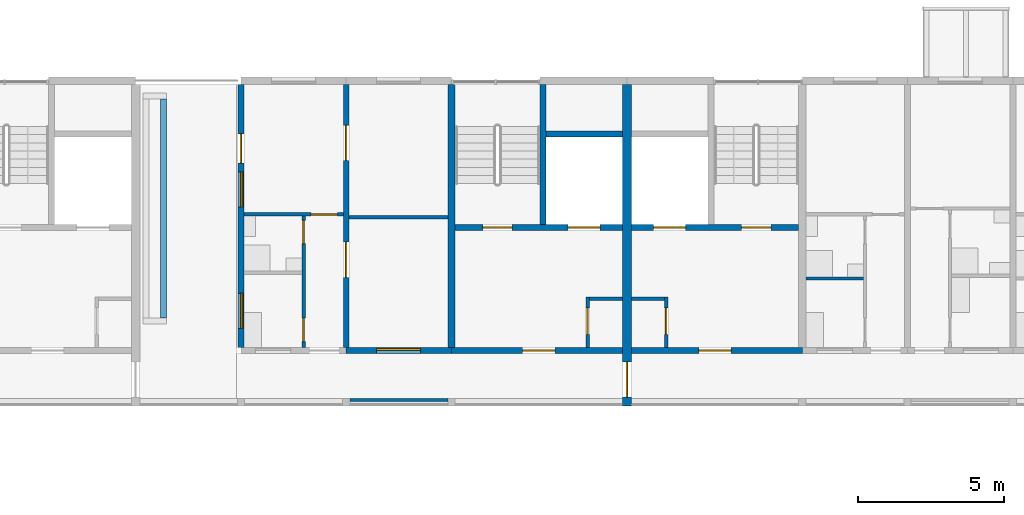
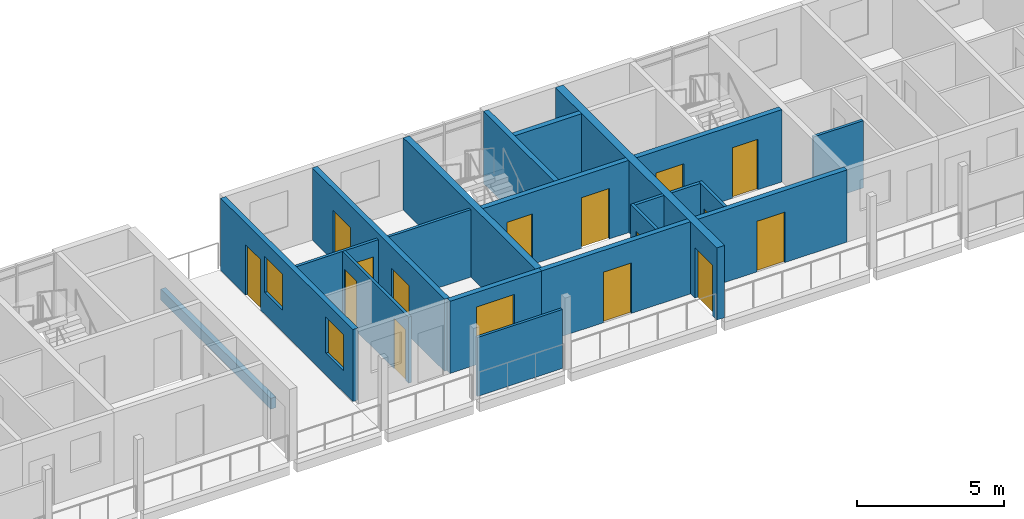
# One storey, part 49 of 94: 21 walls, 15 doors, 3 windows, 18 openings.
"""IFC4 building model written with IfcOpenShell, lengths in metres."""

from ifc_helpers import new_model, si_unit, direction, frame, frame_2d, origin, place, context, subcontext, project, spatial, rectangle, extrude, material, layer, layer_set, type_object, element, fill, save


model = new_model("IFC4")

# Units and contexts
model_context = context("Model", 3, precision=1e-05, world=origin(), true_north=direction((0.0, 1.0)))
body_context = subcontext(model_context, "Body", "Model", "MODEL_VIEW")
ifc_project = project(units=[si_unit("LENGTHUNIT", "METRE"), si_unit("AREAUNIT", "SQUARE_METRE"), si_unit("VOLUMEUNIT", "CUBIC_METRE"), si_unit("PLANEANGLEUNIT", "RADIAN"), si_unit("MASSUNIT", "GRAM", prefix="KILO")], contexts=[model_context])

# Site, building, storey
site_placement = place(None, origin())
site = spatial("IfcSite", under=ifc_project, at=site_placement, CompositionType="ELEMENT")
building_placement = place(site_placement, origin())
building = spatial("IfcBuilding", under=site, at=building_placement, Name="Ridgestep Commons", CompositionType="ELEMENT")
storey_placement = place(building_placement, frame((0.0, 0.0, 21.0)))
storey = spatial("IfcBuildingStorey", under=building, at=storey_placement, Name="L07", CompositionType="ELEMENT", Elevation=21.0)

# Wall
ifc_material_1 = material(Name="Concrete C30/37", Category="concrete")
ifc_layer_1 = layer(ifc_material_1, 0.25)
ifc_layer_set_1 = layer_set([ifc_layer_1], Name="Core cross wall 250")
wall_type_1 = type_object("IfcWallType", Name="Core cross wall 250", PredefinedType="SHEAR", material=ifc_layer_set_1)
wall_1_placement = place(storey_placement, frame((174.39990234375, 68.0, 0.0), z_axis=(0.0, 0.0, 1.0), x_axis=(0.0, 1.0, 0.0)))
element("IfcWall", 1, at=wall_1_placement, inside=storey, type_object=wall_type_1, Name="Cross wall C-07-1744", PredefinedType="SHEAR", context=body_context, shape_type="SweptSolid", body=[
    extrude(rectangle(XDim=9.0, YDim=0.25, at=frame_2d((4.5, 0.0))), origin(), (0.0, 0.0, 1.0), 3.0),
])

# Wall, opening, door
ifc_material_2 = material(Name="Concrete C30/37", Category="concrete")
ifc_layer_2 = layer(ifc_material_2, 0.199951171875)
ifc_layer_set_2 = layer_set([ifc_layer_2], Name="Core south wall 200")
wall_type_2 = type_object("IfcWallType", Name="Core south wall 200", PredefinedType="SHEAR", material=ifc_layer_set_2)
wall_2_placement = place(storey_placement, frame((174.39990234375, 67.89990234375, 0.0), z_axis=(0.0, 0.0, 1.0), x_axis=(1.0, 0.0, 0.0)))
wall_2 = element("IfcWall", 2, at=wall_2_placement, inside=storey, type_object=wall_type_2, Name="Core south wall C2C L07", PredefinedType="SHEAR", context=body_context, shape_type="SweptSolid", body=[
    extrude(rectangle(XDim=5.85009765625, YDim=0.199951171875, at=frame_2d((2.925048828125, 0.0))), origin(), (0.0, 0.0, 1.0), 3.0),
])
opening_1_placement = place(wall_2_placement, frame((2.4375, 0.0, 0.0)))
opening_1 = element("IfcOpeningElement", 3, at=opening_1_placement, cuts=wall_2, Name="Opening C2C/07/1", PredefinedType="OPENING", context=body_context, shape_type="SweptSolid", body=[
    extrude(rectangle(XDim=1.10009765625, YDim=2.10009765625, at=frame_2d((0.550048828125, 1.050048828125))), frame((0.0, 0.10986328125, 0.0), z_axis=(0.0, -1.0, 0.0), x_axis=(1.0, 0.0, 0.0)), (0.0, 0.0, 1.0), 0.219970703125),
])
ifc_material_3 = material(Name="Steel fire door", Category="steel")
door_type_1 = type_object("IfcDoorType", Name="Lobby door 1100 x 2100 FD60", OperationType="NOTDEFINED", PredefinedType="DOOR", material=ifc_material_3)
door_1_placement = place(opening_1_placement, origin())
door_1 = element("IfcDoor", 4, at=door_1_placement, inside=storey, type_object=door_type_1, Name="Lobby door C2C/07/1", OperationType="SINGLE_SWING_LEFT", OverallHeight=2.10009765625, OverallWidth=1.10009765625, PredefinedType="DOOR", context=body_context, shape_type="SweptSolid", body=[
    extrude(rectangle(XDim=1.10009765625, YDim=2.10009765625, at=frame_2d((0.550048828125, 1.050048828125))), frame((0.0, 0.02490234375, 0.0), z_axis=(0.0, -1.0, 0.0), x_axis=(1.0, 0.0, 0.0)), (0.0, 0.0, 1.0), 0.050048828125),
])
fill(opening_1, door_1)

wall_3_placement = place(storey_placement, frame((180.550048828125, 67.89990234375, 0.0), z_axis=(0.0, 0.0, 1.0), x_axis=(1.0, 0.0, 0.0)))
wall_3 = element("IfcWall", 5, at=wall_3_placement, inside=storey, type_object=wall_type_2, Name="Core south wall C3C L07", PredefinedType="SHEAR", context=body_context, shape_type="SweptSolid", body=[
    extrude(rectangle(XDim=5.849853515625, YDim=0.199951171875, at=frame_2d((2.9248046875, 0.0))), origin(), (0.0, 0.0, 1.0), 3.0),
])
opening_2_placement = place(wall_3_placement, frame((2.3125, 0.0, 0.0)))
opening_2 = element("IfcOpeningElement", 6, at=opening_2_placement, cuts=wall_3, Name="Opening C3C/07/1", PredefinedType="OPENING", context=body_context, shape_type="SweptSolid", body=[
    extrude(rectangle(XDim=1.10009765625, YDim=2.10009765625, at=frame_2d((0.550048828125, 1.050048828125))), frame((0.0, 0.10986328125, 0.0), z_axis=(0.0, -1.0, 0.0), x_axis=(1.0, 0.0, 0.0)), (0.0, 0.0, 1.0), 0.219970703125),
])
door_2_placement = place(opening_2_placement, origin())
door_2 = element("IfcDoor", 7, at=door_2_placement, inside=storey, type_object=door_type_1, Name="Lobby door C3C/07/1", OperationType="SINGLE_SWING_LEFT", OverallHeight=2.10009765625, OverallWidth=1.10009765625, PredefinedType="DOOR", context=body_context, shape_type="SweptSolid", body=[
    extrude(rectangle(XDim=1.10009765625, YDim=2.10009765625, at=frame_2d((0.550048828125, 1.050048828125))), frame((0.0, 0.02490234375, 0.0), z_axis=(0.0, -1.0, 0.0), x_axis=(1.0, 0.0, 0.0)), (0.0, 0.0, 1.0), 0.050048828125),
])
fill(opening_2, door_2)

ifc_material_4 = material(Name="Concrete C30/37", Category="concrete")
ifc_layer_3 = layer(ifc_material_4, 0.1201171875)
ifc_layer_set_3 = layer_set([ifc_layer_3], Name="Core wall 120")
wall_type_3 = type_object("IfcWallType", Name="Core wall 120", PredefinedType="SHEAR", material=ifc_layer_set_3)
wall_4_placement = place(storey_placement, frame((179.06005859375, 68.0, 0.0), z_axis=(0.0, 0.0, 1.0), x_axis=(0.0, 1.0, 0.0)))
wall_4 = element("IfcWall", 8, at=wall_4_placement, inside=storey, type_object=wall_type_3, Name="Core riser w wall C2C L07", PredefinedType="SHEAR", context=body_context, shape_type="SweptSolid", body=[
    extrude(rectangle(XDim=1.719970703125, YDim=0.1201171875, at=frame_2d((0.85986328125, 0.0))), origin(), (0.0, 0.0, 1.0), 3.0),
])
opening_3_placement = place(wall_4_placement, frame((0.449951171875, 0.0, 0.0)))
opening_3 = element("IfcOpeningElement", 9, at=opening_3_placement, cuts=wall_4, Name="Opening C2C/07/4", PredefinedType="OPENING", context=body_context, shape_type="SweptSolid", body=[
    extrude(rectangle(XDim=0.89990234375, YDim=2.10009765625, at=frame_2d((0.449951171875, 1.050048828125))), frame((0.0, 0.070068359375, 0.0), z_axis=(0.0, -1.0, 0.0), x_axis=(1.0, 0.0, 0.0)), (0.0, 0.0, 1.0), 0.14013671875),
])
ifc_material_5 = material(Name="Steel fire door", Category="steel")
door_type_2 = type_object("IfcDoorType", Name="Riser door 900 x 2100 FD60", OperationType="NOTDEFINED", PredefinedType="DOOR", material=ifc_material_5)
door_3_placement = place(opening_3_placement, origin())
door_3 = element("IfcDoor", 10, at=door_3_placement, inside=storey, type_object=door_type_2, Name="Riser door C2C/07/4", OperationType="SINGLE_SWING_LEFT", OverallHeight=2.10009765625, OverallWidth=0.89990234375, PredefinedType="DOOR", context=body_context, shape_type="SweptSolid", body=[
    extrude(rectangle(XDim=0.89990234375, YDim=2.10009765625, at=frame_2d((0.449951171875, 1.050048828125))), frame((0.0, 0.02490234375, 0.0), z_axis=(0.0, -1.0, 0.0), x_axis=(1.0, 0.0, 0.0)), (0.0, 0.0, 1.0), 0.050048828125),
])
fill(opening_3, door_3)

# Wall
wall_5_placement = place(storey_placement, frame((179.1201171875, 69.659912109375, 0.0), z_axis=(0.0, 0.0, 1.0), x_axis=(1.0, 0.0, 0.0)))
element("IfcWall", 11, at=wall_5_placement, inside=storey, type_object=wall_type_3, Name="Core riser n wall C2C L07", PredefinedType="SHEAR", context=body_context, shape_type="SweptSolid", body=[
    extrude(rectangle(XDim=1.1298828125, YDim=0.1201171875, at=frame_2d((0.56494140625, 0.0))), origin(), (0.0, 0.0, 1.0), 3.0),
])

# Wall, opening, door
wall_6_placement = place(storey_placement, frame((181.739990234375, 68.0, 0.0), z_axis=(0.0, 0.0, 1.0), x_axis=(0.0, 1.0, 0.0)))
wall_6 = element("IfcWall", 12, at=wall_6_placement, inside=storey, type_object=wall_type_3, Name="Core riser w wall C3C L07", PredefinedType="SHEAR", context=body_context, shape_type="SweptSolid", body=[
    extrude(rectangle(XDim=1.719970703125, YDim=0.1201171875, at=frame_2d((0.85986328125, 0.0))), origin(), (0.0, 0.0, 1.0), 3.0),
])
opening_4_placement = place(wall_6_placement, frame((0.449951171875, 0.0, 0.0)))
opening_4 = element("IfcOpeningElement", 13, at=opening_4_placement, cuts=wall_6, Name="Opening C3C/07/4", PredefinedType="OPENING", context=body_context, shape_type="SweptSolid", body=[
    extrude(rectangle(XDim=0.89990234375, YDim=2.10009765625, at=frame_2d((0.449951171875, 1.050048828125))), frame((0.0, 0.070068359375, 0.0), z_axis=(0.0, -1.0, 0.0), x_axis=(1.0, 0.0, 0.0)), (0.0, 0.0, 1.0), 0.14013671875),
])
door_4_placement = place(opening_4_placement, origin())
door_4 = element("IfcDoor", 14, at=door_4_placement, inside=storey, type_object=door_type_2, Name="Riser door C3C/07/4", OperationType="SINGLE_SWING_RIGHT", OverallHeight=2.10009765625, OverallWidth=0.89990234375, PredefinedType="DOOR", context=body_context, shape_type="SweptSolid", body=[
    extrude(rectangle(XDim=0.89990234375, YDim=2.10009765625, at=frame_2d((0.449951171875, 1.050048828125))), frame((0.0, 0.02490234375, 0.0), z_axis=(0.0, -1.0, 0.0), x_axis=(1.0, 0.0, 0.0)), (0.0, 0.0, 1.0), 0.050048828125),
])
fill(opening_4, door_4)

# Wall
wall_7_placement = place(storey_placement, frame((180.550048828125, 69.659912109375, 0.0), z_axis=(0.0, 0.0, 1.0), x_axis=(1.0, 0.0, 0.0)))
element("IfcWall", 15, at=wall_7_placement, inside=storey, type_object=wall_type_3, Name="Core riser n wall C3C L07", PredefinedType="SHEAR", context=body_context, shape_type="SweptSolid", body=[
    extrude(rectangle(XDim=1.1298828125, YDim=0.1201171875, at=frame_2d((0.56494140625, 0.0))), origin(), (0.0, 0.0, 1.0), 3.0),
])

# Wall, openings, doors
ifc_material_6 = material(Name="Concrete C30/37", Category="concrete")
ifc_layer_4 = layer(ifc_material_6, 0.199951171875)
ifc_layer_set_4 = layer_set([ifc_layer_4], Name="Core wall 200")
wall_type_4 = type_object("IfcWallType", Name="Core wall 200", PredefinedType="SHEAR", material=ifc_layer_set_4)
wall_8_placement = place(storey_placement, frame((174.52490234375, 72.10009765625, 0.0), z_axis=(0.0, 0.0, 1.0), x_axis=(1.0, 0.0, 0.0)))
wall_8 = element("IfcWall", 16, at=wall_8_placement, inside=storey, type_object=wall_type_4, Name="Core lobby wall C2C L07", PredefinedType="SHEAR", context=body_context, shape_type="SweptSolid", body=[
    extrude(rectangle(XDim=5.72509765625, YDim=0.199951171875, at=frame_2d((2.862548828125, 0.0))), origin(), (0.0, 0.0, 1.0), 3.0),
])
opening_5_placement = place(wall_8_placement, frame((0.949951171875, 0.0, 0.0)))
opening_5 = element("IfcOpeningElement", 17, at=opening_5_placement, cuts=wall_8, Name="Opening C2C/07/2", PredefinedType="OPENING", context=body_context, shape_type="SweptSolid", body=[
    extrude(rectangle(XDim=1.0, YDim=2.10009765625, at=frame_2d((0.5, 1.050048828125))), frame((0.0, 0.10986328125, 0.0), z_axis=(0.0, -1.0, 0.0), x_axis=(1.0, 0.0, 0.0)), (0.0, 0.0, 1.0), 0.219970703125),
])
opening_6_placement = place(wall_8_placement, frame((3.862548828125, 0.0, 0.0)))
opening_6 = element("IfcOpeningElement", 18, at=opening_6_placement, cuts=wall_8, Name="Opening C2C/07/3", PredefinedType="OPENING", context=body_context, shape_type="SweptSolid", body=[
    extrude(rectangle(XDim=1.10009765625, YDim=2.10009765625, at=frame_2d((0.550048828125, 1.050048828125))), frame((0.0, 0.10986328125, 0.0), z_axis=(0.0, -1.0, 0.0), x_axis=(1.0, 0.0, 0.0)), (0.0, 0.0, 1.0), 0.219970703125),
])
ifc_material_7 = material(Name="Stainless steel", Category="steel")
door_type_3 = type_object("IfcDoorType", Name="Lift landing door 1100 x 2100 FD60", OperationType="DOUBLE_DOOR_SLIDING", PredefinedType="DOOR", material=ifc_material_7)
door_5_placement = place(opening_6_placement, origin())
door_5 = element("IfcDoor", 19, at=door_5_placement, inside=storey, type_object=door_type_3, Name="Landing door LD C2C L07", OperationType="DOUBLE_DOOR_SLIDING", OverallHeight=2.10009765625, OverallWidth=1.10009765625, PredefinedType="DOOR", context=body_context, shape_type="SweptSolid", body=[
    extrude(rectangle(XDim=1.10009765625, YDim=2.10009765625, at=frame_2d((0.550048828125, 1.050048828125))), frame((0.0, 0.02490234375, 0.0), z_axis=(0.0, -1.0, 0.0), x_axis=(1.0, 0.0, 0.0)), (0.0, 0.0, 1.0), 0.050048828125),
])
fill(opening_6, door_5)
ifc_material_8 = material(Name="Steel fire door", Category="steel")
door_type_4 = type_object("IfcDoorType", Name="Stair door 1000 x 2100 FD60", OperationType="NOTDEFINED", PredefinedType="DOOR", material=ifc_material_8)
door_6_placement = place(opening_5_placement, origin())
door_6 = element("IfcDoor", 20, at=door_6_placement, inside=storey, type_object=door_type_4, Name="Stair door C2C/07/2", OperationType="SINGLE_SWING_RIGHT", OverallHeight=2.10009765625, OverallWidth=1.0, PredefinedType="DOOR", context=body_context, shape_type="SweptSolid", body=[
    extrude(rectangle(XDim=1.0, YDim=2.10009765625, at=frame_2d((0.5, 1.050048828125))), frame((0.0, 0.02490234375, 0.0), z_axis=(0.0, -1.0, 0.0), x_axis=(1.0, 0.0, 0.0)), (0.0, 0.0, 1.0), 0.050048828125),
])
fill(opening_5, door_6)

# Walls
wall_9_placement = place(storey_placement, frame((177.52490234375, 72.199951171875, 0.0), z_axis=(0.0, 0.0, 1.0), x_axis=(0.0, 1.0, 0.0)))
element("IfcWall", 21, at=wall_9_placement, inside=storey, type_object=wall_type_4, Name="Core stair wall C2C L07", PredefinedType="SHEAR", context=body_context, shape_type="SweptSolid", body=[
    extrude(rectangle(XDim=4.800048828125, YDim=0.199951171875, at=frame_2d((2.39990234375, 0.0))), origin(), (0.0, 0.0, 1.0), 3.0),
])
wall_10_placement = place(storey_placement, frame((177.625, 75.300048828125, 0.0), z_axis=(0.0, 0.0, 1.0), x_axis=(1.0, 0.0, 0.0)))
element("IfcWall", 22, at=wall_10_placement, inside=storey, type_object=wall_type_4, Name="Core duct wall C2C L07", PredefinedType="SHEAR", context=body_context, shape_type="SweptSolid", body=[
    extrude(rectangle(XDim=2.625, YDim=0.199951171875, at=frame_2d((1.3125, 0.0))), origin(), (0.0, 0.0, 1.0), 3.0),
])

# Wall, openings, doors
wall_11_placement = place(storey_placement, frame((180.550048828125, 72.10009765625, 0.0), z_axis=(0.0, 0.0, 1.0), x_axis=(1.0, 0.0, 0.0)))
wall_11 = element("IfcWall", 23, at=wall_11_placement, inside=storey, type_object=wall_type_4, Name="Core lobby wall C3C L07", PredefinedType="SHEAR", context=body_context, shape_type="SweptSolid", body=[
    extrude(rectangle(XDim=5.724853515625, YDim=0.199951171875, at=frame_2d((2.8623046875, 0.0))), origin(), (0.0, 0.0, 1.0), 3.0),
])
opening_7_placement = place(wall_11_placement, frame((3.77490234375, 0.0, 0.0)))
opening_7 = element("IfcOpeningElement", 24, at=opening_7_placement, cuts=wall_11, Name="Opening C3C/07/2", PredefinedType="OPENING", context=body_context, shape_type="SweptSolid", body=[
    extrude(rectangle(XDim=1.0, YDim=2.10009765625, at=frame_2d((0.5, 1.050048828125))), frame((0.0, 0.10986328125, 0.0), z_axis=(0.0, -1.0, 0.0), x_axis=(1.0, 0.0, 0.0)), (0.0, 0.0, 1.0), 0.219970703125),
])
opening_8_placement = place(wall_11_placement, frame((0.762451171875, 0.0, 0.0)))
opening_8 = element("IfcOpeningElement", 25, at=opening_8_placement, cuts=wall_11, Name="Opening C3C/07/3", PredefinedType="OPENING", context=body_context, shape_type="SweptSolid", body=[
    extrude(rectangle(XDim=1.10009765625, YDim=2.10009765625, at=frame_2d((0.550048828125, 1.050048828125))), frame((0.0, 0.10986328125, 0.0), z_axis=(0.0, -1.0, 0.0), x_axis=(1.0, 0.0, 0.0)), (0.0, 0.0, 1.0), 0.219970703125),
])
door_7_placement = place(opening_8_placement, origin())
door_7 = element("IfcDoor", 26, at=door_7_placement, inside=storey, type_object=door_type_3, Name="Landing door LD C3C L07", OperationType="DOUBLE_DOOR_SLIDING", OverallHeight=2.10009765625, OverallWidth=1.10009765625, PredefinedType="DOOR", context=body_context, shape_type="SweptSolid", body=[
    extrude(rectangle(XDim=1.10009765625, YDim=2.10009765625, at=frame_2d((0.550048828125, 1.050048828125))), frame((0.0, 0.02490234375, 0.0), z_axis=(0.0, -1.0, 0.0), x_axis=(1.0, 0.0, 0.0)), (0.0, 0.0, 1.0), 0.050048828125),
])
fill(opening_8, door_7)
door_8_placement = place(opening_7_placement, origin())
door_8 = element("IfcDoor", 27, at=door_8_placement, inside=storey, type_object=door_type_4, Name="Stair door C3C/07/2", OperationType="SINGLE_SWING_RIGHT", OverallHeight=2.10009765625, OverallWidth=1.0, PredefinedType="DOOR", context=body_context, shape_type="SweptSolid", body=[
    extrude(rectangle(XDim=1.0, YDim=2.10009765625, at=frame_2d((0.5, 1.050048828125))), frame((0.0, 0.02490234375, 0.0), z_axis=(0.0, -1.0, 0.0), x_axis=(1.0, 0.0, 0.0)), (0.0, 0.0, 1.0), 0.050048828125),
])
fill(opening_7, door_8)

ifc_material_9 = material(Name="Precast concrete C40/50", Category="concrete")
ifc_layer_5 = layer(ifc_material_9, 0.199951171875)
ifc_layer_set_5 = layer_set([ifc_layer_5], Name="Cross wall 200")
wall_type_5 = type_object("IfcWallType", Name="Cross wall 200", PredefinedType="SHEAR", material=ifc_layer_set_5)
wall_12_placement = place(storey_placement, frame((170.800048828125, 68.0, 0.0), z_axis=(0.0, 0.0, 1.0), x_axis=(0.0, 1.0, 0.0)))
wall_12 = element("IfcWall", 28, at=wall_12_placement, inside=storey, type_object=wall_type_5, Name="Cross wall C-07-1708", PredefinedType="SHEAR", context=body_context, shape_type="SweptSolid", body=[
    extrude(rectangle(XDim=9.0, YDim=0.199951171875, at=frame_2d((4.5, 0.0))), origin(), (0.0, 0.0, 1.0), 3.0),
])
opening_9_placement = place(wall_12_placement, frame((2.39990234375, 0.0, 0.0)))
opening_9 = element("IfcOpeningElement", 29, at=opening_9_placement, cuts=wall_12, Name="Opening C2-07a/5", PredefinedType="OPENING", context=body_context, shape_type="SweptSolid", body=[
    extrude(rectangle(XDim=1.199951171875, YDim=2.10009765625, at=frame_2d((0.60009765625, 1.050048828125))), frame((0.0, 0.10986328125, 0.0), z_axis=(0.0, -1.0, 0.0), x_axis=(1.0, 0.0, 0.0)), (0.0, 0.0, 1.0), 0.219970703125),
])
opening_10_placement = place(wall_12_placement, frame((6.39990234375, 0.0, 0.0)))
opening_10 = element("IfcOpeningElement", 30, at=opening_10_placement, cuts=wall_12, Name="Opening C2-07a/6", PredefinedType="OPENING", context=body_context, shape_type="SweptSolid", body=[
    extrude(rectangle(XDim=1.199951171875, YDim=2.10009765625, at=frame_2d((0.60009765625, 1.050048828125))), frame((0.0, 0.10986328125, 0.0), z_axis=(0.0, -1.0, 0.0), x_axis=(1.0, 0.0, 0.0)), (0.0, 0.0, 1.0), 0.219970703125),
])
ifc_material_10 = material(Name="Timber door leaf", Category="wood")
door_type_5 = type_object("IfcDoorType", Name="Double door 1200 x 2100", OperationType="DOUBLE_DOOR_SINGLE_SWING", PredefinedType="DOOR", material=ifc_material_10)
door_9_placement = place(opening_9_placement, origin())
door_9 = element("IfcDoor", 31, at=door_9_placement, inside=storey, type_object=door_type_5, Name="Double door C2-07a/5", OperationType="DOUBLE_DOOR_SINGLE_SWING", OverallHeight=2.10009765625, OverallWidth=1.199951171875, PredefinedType="DOOR", context=body_context, shape_type="SweptSolid", body=[
    extrude(rectangle(XDim=1.199951171875, YDim=2.10009765625, at=frame_2d((0.60009765625, 1.050048828125))), frame((0.0, 0.02490234375, 0.0), z_axis=(0.0, -1.0, 0.0), x_axis=(1.0, 0.0, 0.0)), (0.0, 0.0, 1.0), 0.050048828125),
])
fill(opening_9, door_9)
door_10_placement = place(opening_10_placement, origin())
door_10 = element("IfcDoor", 32, at=door_10_placement, inside=storey, type_object=door_type_5, Name="Double door C2-07a/6", OperationType="DOUBLE_DOOR_SINGLE_SWING", OverallHeight=2.10009765625, OverallWidth=1.199951171875, PredefinedType="DOOR", context=body_context, shape_type="SweptSolid", body=[
    extrude(rectangle(XDim=1.199951171875, YDim=2.10009765625, at=frame_2d((0.60009765625, 1.050048828125))), frame((0.0, 0.02490234375, 0.0), z_axis=(0.0, -1.0, 0.0), x_axis=(1.0, 0.0, 0.0)), (0.0, 0.0, 1.0), 0.050048828125),
])
fill(opening_10, door_10)

# Wall, opening, door
ifc_material_11 = material(Name="Precast concrete C40/50", Category="concrete")
ifc_layer_6 = layer(ifc_material_11, 0.300048828125)
ifc_layer_set_6 = layer_set([ifc_layer_6], Name="Division wall 300")
wall_type_6 = type_object("IfcWallType", Name="Division wall 300", PredefinedType="SHEAR", material=ifc_layer_set_6)
wall_13_placement = place(storey_placement, frame((180.39990234375, 66.0, 0.0), z_axis=(0.0, 0.0, 1.0), x_axis=(0.0, 1.0, 0.0)))
wall_13 = element("IfcWall", 33, at=wall_13_placement, inside=storey, type_object=wall_type_6, Name="Cross wall C-07-1804", PredefinedType="SHEAR", context=body_context, shape_type="SweptSolid", body=[
    extrude(rectangle(XDim=11.0, YDim=0.300048828125, at=frame_2d((5.5, 0.0))), origin(), (0.0, 0.0, 1.0), 3.0),
])
opening_11_placement = place(wall_13_placement, frame((0.300048828125, 0.0, 0.0)))
opening_11 = element("IfcOpeningElement", 34, at=opening_11_placement, cuts=wall_13, Name="Opening C/07/G1804", PredefinedType="OPENING", context=body_context, shape_type="SweptSolid", body=[
    extrude(rectangle(XDim=1.199951171875, YDim=2.10009765625, at=frame_2d((0.60009765625, 1.050048828125))), frame((0.0, 0.159912109375, 0.0), z_axis=(0.0, -1.0, 0.0), x_axis=(1.0, 0.0, 0.0)), (0.0, 0.0, 1.0), 0.320068359375),
])
ifc_material_12 = material(Name="Steel fire door", Category="steel")
door_type_6 = type_object("IfcDoorType", Name="Division fire door 1200 x 2100 EI 240", OperationType="DOUBLE_DOOR_SINGLE_SWING", PredefinedType="DOOR", material=ifc_material_12)
door_11_placement = place(opening_11_placement, origin())
door_11 = element("IfcDoor", 35, at=door_11_placement, inside=storey, type_object=door_type_6, Name="Division fire door C/07/G1804", OperationType="DOUBLE_DOOR_SINGLE_SWING", OverallHeight=2.10009765625, OverallWidth=1.199951171875, PredefinedType="DOOR", context=body_context, shape_type="SweptSolid", body=[
    extrude(rectangle(XDim=1.199951171875, YDim=2.10009765625, at=frame_2d((0.60009765625, 1.050048828125))), frame((0.0, 0.02490234375, 0.0), z_axis=(0.0, -1.0, 0.0), x_axis=(1.0, 0.0, 0.0)), (0.0, 0.0, 1.0), 0.050048828125),
])
fill(opening_11, door_11)

# Wall, openings, windows, door
ifc_material_13 = material(Name="Precast concrete C40/50", Category="concrete")
ifc_layer_7 = layer(ifc_material_13, 0.199951171875)
ifc_layer_set_7 = layer_set([ifc_layer_7], Name="Exposed cross wall 200")
wall_type_7 = type_object("IfcWallType", Name="Exposed cross wall 200", PredefinedType="SHEAR", material=ifc_layer_set_7)
wall_14_placement = place(storey_placement, frame((167.199951171875, 68.0, 0.0), z_axis=(0.0, 0.0, 1.0), x_axis=(0.0, 1.0, 0.0)))
wall_14 = element("IfcWall", 36, at=wall_14_placement, inside=storey, type_object=wall_type_7, Name="Cross wall C-07-1672", PredefinedType="SHEAR", context=body_context, shape_type="SweptSolid", body=[
    extrude(rectangle(XDim=9.0, YDim=0.199951171875, at=frame_2d((4.5, 0.0))), origin(), (0.0, 0.0, 1.0), 3.0),
])
opening_12_placement = place(wall_14_placement, frame((0.64990234375, 0.0, 0.89990234375)))
opening_12 = element("IfcOpeningElement", 37, at=opening_12_placement, cuts=wall_14, Name="Opening W10", PredefinedType="OPENING", context=body_context, shape_type="SweptSolid", body=[
    extrude(rectangle(XDim=1.199951171875, YDim=1.5, at=frame_2d((0.60009765625, 0.75))), frame((0.0, 0.10986328125, 0.0), z_axis=(0.0, -1.0, 0.0), x_axis=(1.0, 0.0, 0.0)), (0.0, 0.0, 1.0), 0.219970703125),
])
opening_13_placement = place(wall_14_placement, frame((4.8076171875, 0.0, 0.89990234375)))
opening_13 = element("IfcOpeningElement", 38, at=opening_13_placement, cuts=wall_14, Name="Opening W10", PredefinedType="OPENING", context=body_context, shape_type="SweptSolid", body=[
    extrude(rectangle(XDim=1.199951171875, YDim=1.5, at=frame_2d((0.60009765625, 0.75))), frame((0.0, 0.10986328125, 0.0), z_axis=(0.0, -1.0, 0.0), x_axis=(1.0, 0.0, 0.0)), (0.0, 0.0, 1.0), 0.219970703125),
])
opening_14_placement = place(wall_14_placement, frame((6.304931640625, 0.0, 0.0)))
opening_14 = element("IfcOpeningElement", 39, at=opening_14_placement, cuts=wall_14, Name="Opening C2-07a/7", PredefinedType="OPENING", context=body_context, shape_type="SweptSolid", body=[
    extrude(rectangle(XDim=1.0, YDim=2.10009765625, at=frame_2d((0.5, 1.050048828125))), frame((0.0, 0.10986328125, 0.0), z_axis=(0.0, -1.0, 0.0), x_axis=(1.0, 0.0, 0.0)), (0.0, 0.0, 1.0), 0.219970703125),
])
ifc_material_14 = material(Name="Aluminium 6063-T6 and glass", Category="aluminium")
window_type_1 = type_object("IfcWindowType", Name="Flat window 1200 x 1500", PartitioningType="SINGLE_PANEL", PredefinedType="WINDOW", material=ifc_material_14)
window_1_placement = place(opening_12_placement, origin())
window_1 = element("IfcWindow", 40, at=window_1_placement, inside=storey, type_object=window_type_1, Name="Window C2-07a 5", OverallHeight=1.5, OverallWidth=1.199951171875, PartitioningType="SINGLE_PANEL", PredefinedType="WINDOW", context=body_context, shape_type="SweptSolid", body=[
    extrude(rectangle(XDim=1.199951171875, YDim=1.5, at=frame_2d((0.60009765625, 0.75))), frame((0.0, 0.0, 0.0), z_axis=(0.0, -1.0, 0.0), x_axis=(1.0, 0.0, 0.0)), (0.0, 0.0, 1.0), 0.06005859375),
])
fill(opening_12, window_1)
window_2_placement = place(opening_13_placement, origin())
window_2 = element("IfcWindow", 41, at=window_2_placement, inside=storey, type_object=window_type_1, Name="Window C2-07a 6", OverallHeight=1.5, OverallWidth=1.199951171875, PartitioningType="SINGLE_PANEL", PredefinedType="WINDOW", context=body_context, shape_type="SweptSolid", body=[
    extrude(rectangle(XDim=1.199951171875, YDim=1.5, at=frame_2d((0.60009765625, 0.75))), frame((0.0, 0.0, 0.0), z_axis=(0.0, -1.0, 0.0), x_axis=(1.0, 0.0, 0.0)), (0.0, 0.0, 1.0), 0.06005859375),
])
fill(opening_13, window_2)
ifc_material_15 = material(Name="Aluminium and glass", Category="aluminium")
door_type_7 = type_object("IfcDoorType", Name="Terrace door 1000 x 2100", OperationType="NOTDEFINED", PredefinedType="DOOR", material=ifc_material_15)
door_12_placement = place(opening_14_placement, origin())
door_12 = element("IfcDoor", 42, at=door_12_placement, inside=storey, type_object=door_type_7, Name="Terrace door C2-07a/7", OperationType="SINGLE_SWING_RIGHT", OverallHeight=2.10009765625, OverallWidth=1.0, PredefinedType="DOOR", context=body_context, shape_type="SweptSolid", body=[
    extrude(rectangle(XDim=1.0, YDim=2.10009765625, at=frame_2d((0.5, 1.050048828125))), frame((0.0, 0.02490234375, 0.0), z_axis=(0.0, -1.0, 0.0), x_axis=(1.0, 0.0, 0.0)), (0.0, 0.0, 1.0), 0.050048828125),
])
fill(opening_14, door_12)

# Wall, openings, doors
ifc_material_16 = material(Name="Common brick 110 mm", Category="masonry")
ifc_layer_8 = layer(ifc_material_16, 0.110107421875)
ifc_layer_set_8 = layer_set([ifc_layer_8], Name="Partition 110")
wall_type_8 = type_object("IfcWallType", Name="Partition 110", PredefinedType="PARTITIONING", material=ifc_layer_set_8)
wall_15_placement = place(storey_placement, frame((169.344970703125, 68.0, 0.0), z_axis=(0.0, 0.0, 1.0), x_axis=(0.0, 1.0, 0.0)))
wall_15 = element("IfcWall", 43, at=wall_15_placement, inside=storey, type_object=wall_type_8, Name="Partition C2-07a", PredefinedType="PARTITIONING", context=body_context, shape_type="SweptSolid", body=[
    extrude(rectangle(XDim=4.5, YDim=0.110107421875, at=frame_2d((2.25, 0.0))), origin(), (0.0, 0.0, 1.0), 2.75),
])
opening_15_placement = place(wall_15_placement, frame((0.199951171875, 0.0, 0.0)))
opening_15 = element("IfcOpeningElement", 44, at=opening_15_placement, cuts=wall_15, Name="Opening C2-07a/2", PredefinedType="OPENING", context=body_context, shape_type="SweptSolid", body=[
    extrude(rectangle(XDim=0.800048828125, YDim=2.10009765625, at=frame_2d((0.39990234375, 1.050048828125))), frame((0.0, 0.06494140625, 0.0), z_axis=(0.0, -1.0, 0.0), x_axis=(1.0, 0.0, 0.0)), (0.0, 0.0, 1.0), 0.130126953125),
])
opening_16_placement = place(wall_15_placement, frame((3.550048828125, 0.0, 0.0)))
opening_16 = element("IfcOpeningElement", 45, at=opening_16_placement, cuts=wall_15, Name="Opening C2-07a/3", PredefinedType="OPENING", context=body_context, shape_type="SweptSolid", body=[
    extrude(rectangle(XDim=0.800048828125, YDim=2.10009765625, at=frame_2d((0.39990234375, 1.050048828125))), frame((0.0, 0.06494140625, 0.0), z_axis=(0.0, -1.0, 0.0), x_axis=(1.0, 0.0, 0.0)), (0.0, 0.0, 1.0), 0.130126953125),
])
ifc_material_17 = material(Name="Timber door leaf", Category="wood")
door_type_8 = type_object("IfcDoorType", Name="Internal door 800 x 2100", OperationType="NOTDEFINED", PredefinedType="DOOR", material=ifc_material_17)
door_13_placement = place(opening_15_placement, origin())
door_13 = element("IfcDoor", 46, at=door_13_placement, inside=storey, type_object=door_type_8, Name="Internal door C2-07a/2", OperationType="SINGLE_SWING_LEFT", OverallHeight=2.10009765625, OverallWidth=0.800048828125, PredefinedType="DOOR", context=body_context, shape_type="SweptSolid", body=[
    extrude(rectangle(XDim=0.800048828125, YDim=2.10009765625, at=frame_2d((0.39990234375, 1.050048828125))), frame((0.0, 0.02490234375, 0.0), z_axis=(0.0, -1.0, 0.0), x_axis=(1.0, 0.0, 0.0)), (0.0, 0.0, 1.0), 0.050048828125),
])
fill(opening_15, door_13)
door_14_placement = place(opening_16_placement, origin())
door_14 = element("IfcDoor", 47, at=door_14_placement, inside=storey, type_object=door_type_8, Name="Internal door C2-07a/3", OperationType="SINGLE_SWING_RIGHT", OverallHeight=2.10009765625, OverallWidth=0.800048828125, PredefinedType="DOOR", context=body_context, shape_type="SweptSolid", body=[
    extrude(rectangle(XDim=0.800048828125, YDim=2.10009765625, at=frame_2d((0.39990234375, 1.050048828125))), frame((0.0, 0.02490234375, 0.0), z_axis=(0.0, -1.0, 0.0), x_axis=(1.0, 0.0, 0.0)), (0.0, 0.0, 1.0), 0.050048828125),
])
fill(opening_16, door_14)

# Wall, opening, door
wall_16_placement = place(storey_placement, frame((167.300048828125, 72.554931640625, 0.0), z_axis=(0.0, 0.0, 1.0), x_axis=(1.0, 0.0, 0.0)))
wall_16 = element("IfcWall", 48, at=wall_16_placement, inside=storey, type_object=wall_type_8, Name="Partition C2-07a", PredefinedType="PARTITIONING", context=body_context, shape_type="SweptSolid", body=[
    extrude(rectangle(XDim=3.39990234375, YDim=0.110107421875, at=frame_2d((1.699951171875, 0.0))), origin(), (0.0, 0.0, 1.0), 2.75),
])
opening_17_placement = place(wall_16_placement, frame((2.300048828125, 0.0, 0.0)))
opening_17 = element("IfcOpeningElement", 49, at=opening_17_placement, cuts=wall_16, Name="Opening C2-07a/4", PredefinedType="OPENING", context=body_context, shape_type="SweptSolid", body=[
    extrude(rectangle(XDim=0.89990234375, YDim=2.10009765625, at=frame_2d((0.449951171875, 1.050048828125))), frame((0.0, 0.06494140625, 0.0), z_axis=(0.0, -1.0, 0.0), x_axis=(1.0, 0.0, 0.0)), (0.0, 0.0, 1.0), 0.130126953125),
])
ifc_material_18 = material(Name="Timber door leaf", Category="wood")
door_type_9 = type_object("IfcDoorType", Name="Internal door 900 x 2100", OperationType="NOTDEFINED", PredefinedType="DOOR", material=ifc_material_18)
door_15_placement = place(opening_17_placement, origin())
door_15 = element("IfcDoor", 50, at=door_15_placement, inside=storey, type_object=door_type_9, Name="Internal door C2-07a/4", OperationType="SINGLE_SWING_LEFT", OverallHeight=2.10009765625, OverallWidth=0.89990234375, PredefinedType="DOOR", context=body_context, shape_type="SweptSolid", body=[
    extrude(rectangle(XDim=0.89990234375, YDim=2.10009765625, at=frame_2d((0.449951171875, 1.050048828125))), frame((0.0, 0.02490234375, 0.0), z_axis=(0.0, -1.0, 0.0), x_axis=(1.0, 0.0, 0.0)), (0.0, 0.0, 1.0), 0.050048828125),
])
fill(opening_17, door_15)

# Walls
wall_17_placement = place(storey_placement, frame((170.89990234375, 72.455078125, 0.0), z_axis=(0.0, 0.0, 1.0), x_axis=(1.0, 0.0, 0.0)))
element("IfcWall", 51, at=wall_17_placement, inside=storey, type_object=wall_type_8, Name="Partition C2-07a", PredefinedType="PARTITIONING", context=body_context, shape_type="SweptSolid", body=[
    extrude(rectangle(XDim=3.375, YDim=0.110107421875, at=frame_2d((1.6875, 0.0))), origin(), (0.0, 0.0, 1.0), 2.800048828125),
])
wall_18_placement = place(storey_placement, frame((186.52490234375, 70.35498046875, 0.0), z_axis=(0.0, 0.0, 1.0), x_axis=(1.0, 0.0, 0.0)))
element("IfcWall", 52, at=wall_18_placement, inside=storey, type_object=wall_type_8, Name="Partition C3-07c", PredefinedType="PARTITIONING", context=body_context, shape_type="SweptSolid", body=[
    extrude(rectangle(XDim=1.965087890625, YDim=0.110107421875, at=frame_2d((0.982421875, 0.0))), origin(), (0.0, 0.0, 1.0), 2.800048828125),
])
ifc_material_19 = material(Name="Precast concrete C30/37", Category="concrete")
ifc_layer_9 = layer(ifc_material_19, 0.10009765625)
ifc_layer_set_9 = layer_set([ifc_layer_9], Name="Perforated gallery screen 3350 x 2450 x 100")
wall_type_9 = type_object("IfcWallType", Name="Perforated gallery screen 3350 x 2450 x 100", PredefinedType="SOLIDWALL", material=ifc_layer_set_9)
wall_19_placement = place(storey_placement, frame((170.925048828125, 66.199951171875, 0.0), z_axis=(0.0, 0.0, 1.0), x_axis=(1.0, 0.0, 0.0)))
element("IfcWall", 53, at=wall_19_placement, inside=storey, type_object=wall_type_9, Name="Gallery screen C2T3 07", PredefinedType="SOLIDWALL", context=body_context, shape_type="SweptSolid", body=[
    extrude(rectangle(XDim=3.349853515625, YDim=0.10009765625, at=frame_2d((1.6748046875, 0.0))), origin(), (0.0, 0.0, 1.0), 2.449951171875),
])
ifc_material_20 = material(Name="Facing brick", Category="masonry")
ifc_layer_10 = layer(ifc_material_20, 0.199951171875)
ifc_layer_set_10 = layer_set([ifc_layer_10], Name="Planter wall 200")
wall_type_10 = type_object("IfcWallType", Name="Planter wall 200", PredefinedType="SOLIDWALL", material=ifc_layer_set_10)
wall_20_placement = place(storey_placement, frame((164.550048828125, 69.0, 0.010009765625), z_axis=(0.0, 0.0, 1.0), x_axis=(0.0, 1.0, 0.0)))
element("IfcWall", 54, at=wall_20_placement, inside=storey, type_object=wall_type_10, Name="Planter wall C2R1E", PredefinedType="SOLIDWALL", context=body_context, shape_type="SweptSolid", body=[
    extrude(rectangle(XDim=7.5, YDim=0.199951171875, at=frame_2d((3.75, 0.0))), origin(), (0.0, 0.0, 1.0), 0.449951171875),
])

# Wall, opening, window
ifc_material_21 = material(Name="Precast concrete C40/50", Category="concrete")
ifc_layer_11 = layer(ifc_material_21, 0.199951171875)
ifc_layer_set_11 = layer_set([ifc_layer_11], Name="South facade panel 200")
wall_type_11 = type_object("IfcWallType", Name="South facade panel 200", PredefinedType="SOLIDWALL", material=ifc_layer_set_11)
wall_21_placement = place(storey_placement, frame((170.800048828125, 67.89990234375, 0.0), z_axis=(0.0, 0.0, 1.0), x_axis=(1.0, 0.0, 0.0)))
wall_21 = element("IfcWall", 55, at=wall_21_placement, inside=storey, type_object=wall_type_11, Name="South panel C2T3 L07", PredefinedType="SOLIDWALL", context=body_context, shape_type="SweptSolid", body=[
    extrude(rectangle(XDim=3.599853515625, YDim=0.199951171875, at=frame_2d((1.7998046875, 0.0))), origin(), (0.0, 0.0, 1.0), 3.0),
])
opening_18_placement = place(wall_21_placement, frame((1.03759765625, 0.0, 0.89990234375)))
opening_18 = element("IfcOpeningElement", 56, at=opening_18_placement, cuts=wall_21, Name="Opening W16", PredefinedType="OPENING", context=body_context, shape_type="SweptSolid", body=[
    extrude(rectangle(XDim=1.5, YDim=1.5, at=frame_2d((0.75, 0.75))), frame((0.0, 0.10986328125, 0.0), z_axis=(0.0, -1.0, 0.0), x_axis=(1.0, 0.0, 0.0)), (0.0, 0.0, 1.0), 0.219970703125),
])
ifc_material_22 = material(Name="Aluminium 6063-T6 and glass", Category="aluminium")
window_type_2 = type_object("IfcWindowType", Name="Flat window 1500 x 1500", PartitioningType="DOUBLE_PANEL_VERTICAL", PredefinedType="WINDOW", material=ifc_material_22)
window_3_placement = place(opening_18_placement, origin())
window_3 = element("IfcWindow", 57, at=window_3_placement, inside=storey, type_object=window_type_2, Name="Window C2-07a 1", OverallHeight=1.5, OverallWidth=1.5, PartitioningType="SINGLE_PANEL", PredefinedType="WINDOW", context=body_context, shape_type="SweptSolid", body=[
    extrude(rectangle(XDim=1.5, YDim=1.5, at=frame_2d((0.75, 0.75))), frame((0.0, 0.06005859375, 0.0), z_axis=(0.0, -1.0, 0.0), x_axis=(1.0, 0.0, 0.0)), (0.0, 0.0, 1.0), 0.06005859375),
])
fill(opening_18, window_3)

save(model, "model.ifc")
